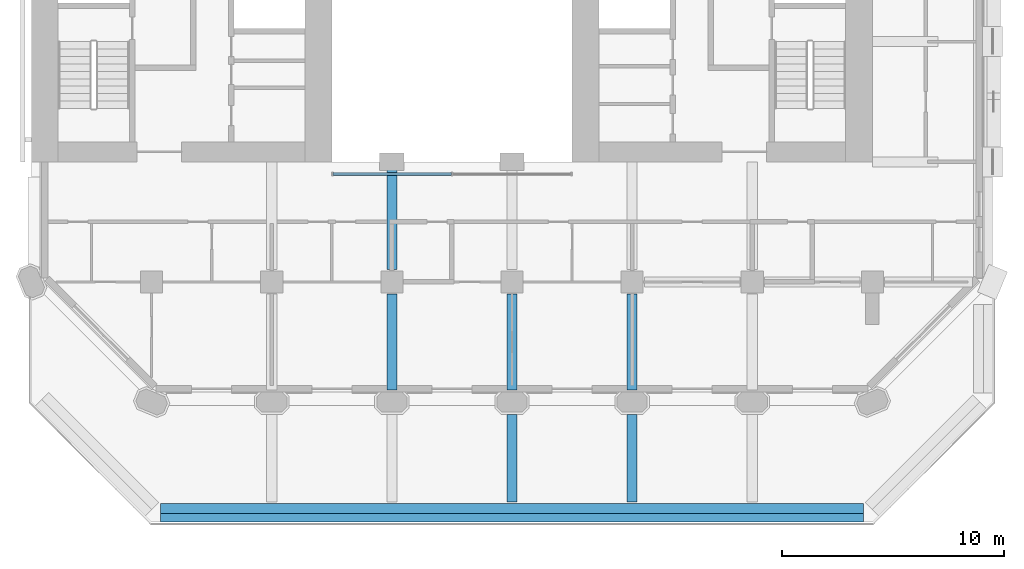
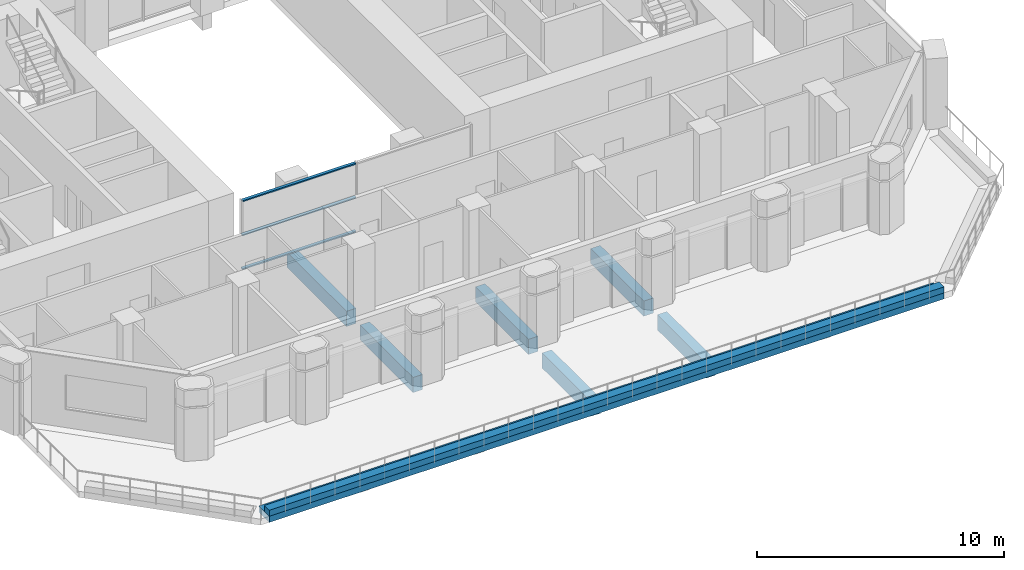
# One storey, part 3 of 16: 8 beams, 3 members, 1 element without a shape of its own.
"""IFC4 building model written with IfcOpenShell, lengths in metres."""

from ifc_helpers import new_model, si_unit, direction, frame, origin, origin_2d, place, context, subcontext, project, spatial, rectangle, extrude, material, material_profile, profile_set, type_object, element, aggregate, save


model = new_model("IFC4")

# Units and contexts
model_context = context("Model", 3, precision=1e-05, world=origin(), true_north=direction((0.0, 1.0)))
body_context = subcontext(model_context, "Body", "Model", "MODEL_VIEW")
ifc_project = project(units=[si_unit("LENGTHUNIT", "METRE"), si_unit("AREAUNIT", "SQUARE_METRE"), si_unit("VOLUMEUNIT", "CUBIC_METRE"), si_unit("PLANEANGLEUNIT", "RADIAN"), si_unit("MASSUNIT", "GRAM", prefix="KILO")], contexts=[model_context])

# Site, building, storey
site_placement = place(None, origin())
site = spatial("IfcSite", under=ifc_project, at=site_placement, CompositionType="ELEMENT")
building_placement = place(site_placement, origin())
building = spatial("IfcBuilding", under=site, at=building_placement, Name="Tabaq Tower and Sports Hall", CompositionType="ELEMENT")
storey_placement = place(building_placement, frame((0.0, 0.0, 65.0)))
storey = spatial("IfcBuildingStorey", under=building, at=storey_placement, Name="L14", CompositionType="ELEMENT", Elevation=65.0)

# Curtain wall, members
ifc_material_1 = material(Name="Aluminium alloy 6063-T6 framed glazing", Category="aluminium")
curtain_wall_type = type_object("IfcCurtainWallType", Name="CW1 curtain wall", PredefinedType="USERDEFINED", material=ifc_material_1)
curtain_wall_placement = place(storey_placement, origin())
curtain_wall = element("IfcCurtainWall", 1, at=curtain_wall_placement, inside=storey, type_object=curtain_wall_type, Name="Atrium glazing L14 S", ObjectType="ATRIUM ENCLOSURE", PredefinedType="USERDEFINED")
ifc_material_2 = material(Name="Aluminium alloy 6063-T6", Category="aluminium")
ifc_material_profile_1 = material_profile(ifc_material_2, rectangle(XDim=0.139892578125, YDim=0.06005859375, at=origin_2d()), Name="TRANSOM 140x60")
ifc_profile_set_1 = profile_set([ifc_material_profile_1], Name="Aluminium alloy 6063-T6")
member_type = type_object("IfcMemberType", Name="CW1 transom 140x60", PredefinedType="USERDEFINED", material=ifc_profile_set_1)
member_1_placement = place(storey_placement, frame((18.9599609375, 15.64990234375, 0.070068359375), z_axis=(1.0, 0.0, 0.0), x_axis=(0.0, 1.0, 0.0)))
member_1 = element("IfcMember", 2, at=member_1_placement, type_object=member_type, Name="CW1 transom 1.1", ObjectType="TRANSOM", PredefinedType="USERDEFINED", context=body_context, shape_type="SweptSolid", body=[
    extrude(rectangle(XDim=0.139892578125, YDim=0.06005859375, at=origin_2d()), origin(), (0.0, 0.0, 1.0), 5.31005859375),
])
member_2_placement = place(storey_placement, frame((18.9599609375, 15.64990234375, 1.75), z_axis=(1.0, 0.0, 0.0), x_axis=(0.0, 1.0, 0.0)))
member_2 = element("IfcMember", 3, at=member_2_placement, type_object=member_type, Name="CW1 transom 1.2", ObjectType="TRANSOM", PredefinedType="USERDEFINED", context=body_context, shape_type="SweptSolid", body=[
    extrude(rectangle(XDim=0.139892578125, YDim=0.06005859375, at=origin_2d()), origin(), (0.0, 0.0, 1.0), 5.31005859375),
])
member_3_placement = place(storey_placement, frame((18.9599609375, 15.64990234375, 3.429931640625), z_axis=(1.0, 0.0, 0.0), x_axis=(0.0, 1.0, 0.0)))
member_3 = element("IfcMember", 4, at=member_3_placement, type_object=member_type, Name="CW1 transom 1.3", ObjectType="TRANSOM", PredefinedType="USERDEFINED", context=body_context, shape_type="SweptSolid", body=[
    extrude(rectangle(XDim=0.139892578125, YDim=0.06005859375, at=origin_2d()), origin(), (0.0, 0.0, 1.0), 5.31005859375),
])
aggregate(curtain_wall, [member_1, member_2, member_3])

# Beams
ifc_material_3 = material(Name="Concrete C40/50", Category="concrete")
ifc_material_profile_2 = material_profile(ifc_material_3, rectangle(XDim=0.449951171875, YDim=0.75, at=origin_2d()), Name="CB 450x750")
ifc_profile_set_2 = profile_set([ifc_material_profile_2], Name="Concrete C40/50")
beam_type_1 = type_object("IfcBeamType", Name="PT CANTILEVER BEAM CB 450x750 C40/50", PredefinedType="BEAM", material=ifc_profile_set_2)
beam_1_placement = place(storey_placement, frame((21.60009765625, 5.949951171875, -0.675048828125), z_axis=(0.0, 1.0, 0.0), x_axis=(-1.0, 0.0, 0.0)))
element("IfcBeam", 5, at=beam_1_placement, inside=storey, type_object=beam_type_1, Name="Cantilever Beam L14 S4 span 2", PredefinedType="BEAM", context=body_context, shape_type="SweptSolid", body=[
    extrude(rectangle(XDim=0.449951171875, YDim=0.75, at=origin_2d()), origin(), (0.0, 0.0, 1.0), 4.300048828125),
])
beam_2_placement = place(storey_placement, frame((21.60009765625, 11.35009765625, -0.675048828125), z_axis=(0.0, 1.0, 0.0), x_axis=(-1.0, 0.0, 0.0)))
element("IfcBeam", 6, at=beam_2_placement, inside=storey, type_object=beam_type_1, Name="Cantilever Beam L14 S4 span 3", PredefinedType="BEAM", context=body_context, shape_type="SweptSolid", body=[
    extrude(rectangle(XDim=0.449951171875, YDim=0.75, at=origin_2d()), origin(), (0.0, 0.0, 1.0), 4.849853515625),
])
beam_3_placement = place(storey_placement, frame((27.0, 0.89990234375, -0.675048828125), z_axis=(0.0, 1.0, 0.0), x_axis=(-1.0, 0.0, 0.0)))
element("IfcBeam", 7, at=beam_3_placement, inside=storey, type_object=beam_type_1, Name="Cantilever Beam L14 S5 span 1", PredefinedType="BEAM", context=body_context, shape_type="SweptSolid", body=[
    extrude(rectangle(XDim=0.449951171875, YDim=0.75, at=origin_2d()), origin(), (0.0, 0.0, 1.0), 3.9501953125),
])
beam_4_placement = place(storey_placement, frame((27.0, 5.949951171875, -0.675048828125), z_axis=(0.0, 1.0, 0.0), x_axis=(-1.0, 0.0, 0.0)))
element("IfcBeam", 8, at=beam_4_placement, inside=storey, type_object=beam_type_1, Name="Cantilever Beam L14 S5 span 2", PredefinedType="BEAM", context=body_context, shape_type="SweptSolid", body=[
    extrude(rectangle(XDim=0.449951171875, YDim=0.75, at=origin_2d()), origin(), (0.0, 0.0, 1.0), 4.300048828125),
])
beam_5_placement = place(storey_placement, frame((32.39990234375, 0.89990234375, -0.675048828125), z_axis=(0.0, 1.0, 0.0), x_axis=(-1.0, 0.0, 0.0)))
element("IfcBeam", 9, at=beam_5_placement, inside=storey, type_object=beam_type_1, Name="Cantilever Beam L14 S6 span 1", PredefinedType="BEAM", context=body_context, shape_type="SweptSolid", body=[
    extrude(rectangle(XDim=0.449951171875, YDim=0.75, at=origin_2d()), origin(), (0.0, 0.0, 1.0), 3.9501953125),
])
beam_6_placement = place(storey_placement, frame((32.39990234375, 5.949951171875, -0.675048828125), z_axis=(0.0, 1.0, 0.0), x_axis=(-1.0, 0.0, 0.0)))
element("IfcBeam", 10, at=beam_6_placement, inside=storey, type_object=beam_type_1, Name="Cantilever Beam L14 S6 span 2", PredefinedType="BEAM", context=body_context, shape_type="SweptSolid", body=[
    extrude(rectangle(XDim=0.449951171875, YDim=0.75, at=origin_2d()), origin(), (0.0, 0.0, 1.0), 4.300048828125),
])
ifc_material_4 = material(Name="Concrete C40/50", Category="concrete")
ifc_material_profile_3 = material_profile(ifc_material_4, rectangle(XDim=0.85009765625, YDim=0.300048828125, at=origin_2d()), Name="EB 850x300")
ifc_profile_set_3 = profile_set([ifc_material_profile_3], Name="Concrete C40/50")
beam_type_2 = type_object("IfcBeamType", Name="PT EDGE BEAM EB 850x300 C40/50", PredefinedType="SPANDREL", material=ifc_profile_set_3)
beam_7_placement = place(storey_placement, frame((11.2021484375, 0.425048828125, -0.14990234375), z_axis=(1.0, 0.0, 0.0), x_axis=(0.0, 1.0, 0.0)))
element("IfcBeam", 11, at=beam_7_placement, inside=storey, type_object=beam_type_2, Name="Edge Beam L14 8", PredefinedType="SPANDREL", context=body_context, shape_type="SweptSolid", body=[
    extrude(rectangle(XDim=0.85009765625, YDim=0.300048828125, at=origin_2d()), origin(), (0.0, 0.0, 1.0), 31.595703125),
])
ifc_material_5 = material(Name="Concrete C40/50", Category="concrete")
ifc_material_profile_4 = material_profile(ifc_material_5, rectangle(XDim=0.39990234375, YDim=0.300048828125, at=origin_2d()), Name="EU 400x300")
ifc_profile_set_4 = profile_set([ifc_material_profile_4], Name="Concrete C40/50")
beam_type_3 = type_object("IfcBeamType", Name="PT EDGE UPSTAND EU 400x300 C40/50", PredefinedType="BEAM", material=ifc_profile_set_4)
beam_8_placement = place(storey_placement, frame((11.2021484375, 0.199951171875, 0.14990234375), z_axis=(1.0, 0.0, 0.0), x_axis=(0.0, 1.0, 0.0)))
element("IfcBeam", 12, at=beam_8_placement, inside=storey, type_object=beam_type_3, Name="Edge Upstand L14 8", PredefinedType="BEAM", context=body_context, shape_type="SweptSolid", body=[
    extrude(rectangle(XDim=0.39990234375, YDim=0.300048828125, at=origin_2d()), origin(), (0.0, 0.0, 1.0), 31.595703125),
])

save(model, "model.ifc")
